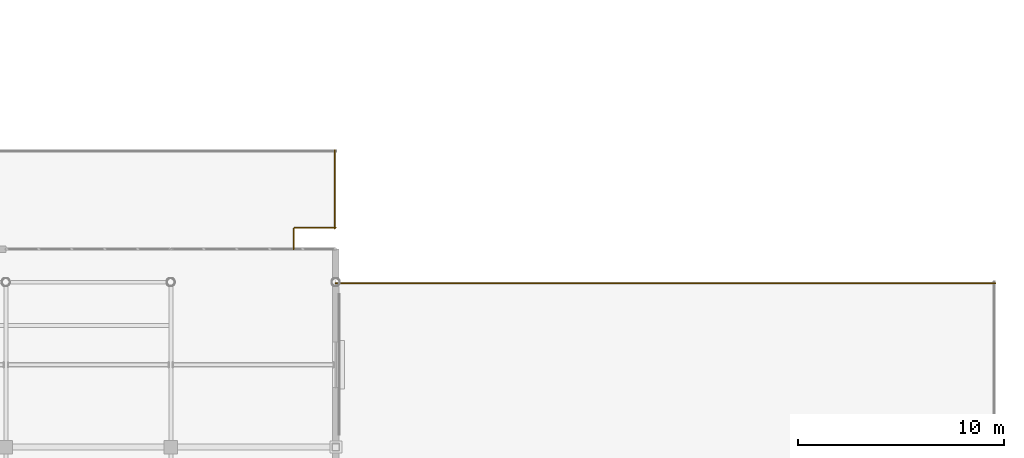
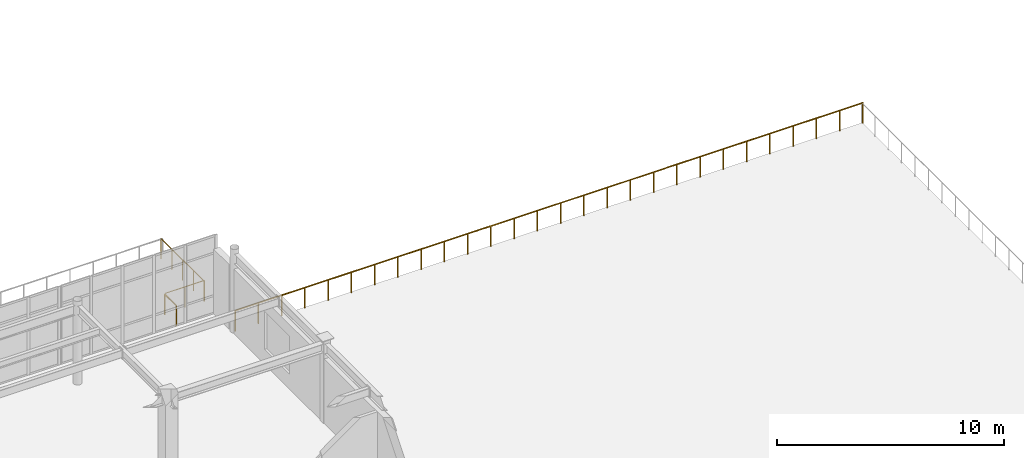
# One storey, part 85 of 93: 4 railings.
"""IFC4 building model written with IfcOpenShell, lengths in metres."""

from ifc_helpers import new_model, si_unit, direction, frame, origin, origin_2d, place, context, subcontext, project, spatial, circle, extrude, material, type_object, element, save


model = new_model("IFC4")

# Units and contexts
model_context = context("Model", 3, precision=1e-05, world=origin(), true_north=direction((0.0, 1.0)))
body_context = subcontext(model_context, "Body", "Model", "MODEL_VIEW")
ifc_project = project(units=[si_unit("LENGTHUNIT", "METRE"), si_unit("AREAUNIT", "SQUARE_METRE"), si_unit("VOLUMEUNIT", "CUBIC_METRE"), si_unit("PLANEANGLEUNIT", "RADIAN"), si_unit("MASSUNIT", "GRAM", prefix="KILO")], contexts=[model_context])

# Site, building, storey
site_placement = place(None, origin())
site = spatial("IfcSite", under=ifc_project, at=site_placement, CompositionType="ELEMENT")
building_placement = place(site_placement, origin())
building = spatial("IfcBuilding", under=site, at=building_placement, Name="Solmirada Galleria", CompositionType="ELEMENT")
storey_placement = place(building_placement, frame((0.0, 0.0, 14.89990234375)))
storey = spatial("IfcBuildingStorey", under=building, at=storey_placement, Name="L03", CompositionType="ELEMENT", Elevation=14.89990234375)

# Railings
ifc_material = material(Name="Painted galvanized steel balustrade", Category="steel")
railing_type = type_object("IfcRailingType", Name="RAIL-TERR-1100", PredefinedType="GUARDRAIL", material=ifc_material)
railing_1_placement = place(storey_placement, frame((141.949951171875, 33.60009765625, 0.0)))
element("IfcRailing", 1, at=railing_1_placement, inside=storey, type_object=railing_type, Name="Terrace guardrail L03-TERR-SE E2.1", PredefinedType="GUARDRAIL", context=body_context, shape_type="SweptSolid", body=[
    extrude(circle(Radius=0.02392578125, at=origin_2d()), frame((0.0, 0.0, 1.09619140625), z_axis=(0.0, 1.0, 0.0), x_axis=(-1.0, 0.0, 0.0)), (0.0, 0.0, 1.0), 1.0),
    extrude(circle(Radius=0.02099609375, at=origin_2d()), origin(), (0.0, 0.0, 1.0), 1.068115234375),
    extrude(circle(Radius=0.02099609375, at=origin_2d()), frame((0.0, 1.0, 0.0)), (0.0, 0.0, 1.0), 1.068115234375),
])
railing_2_placement = place(storey_placement, frame((142.0, 34.64990234375, 0.0)))
element("IfcRailing", 2, at=railing_2_placement, inside=storey, type_object=railing_type, Name="Terrace guardrail L03-TERR-SE E3.1", PredefinedType="GUARDRAIL", context=body_context, shape_type="SweptSolid", body=[
    extrude(circle(Radius=0.02392578125, at=origin_2d()), frame((0.0, 0.0, 1.09619140625), z_axis=(1.0, 0.0, 0.0), x_axis=(0.0, 1.0, 0.0)), (0.0, 0.0, 1.0), 2.0),
    extrude(circle(Radius=0.02099609375, at=origin_2d()), origin(), (0.0, 0.0, 1.0), 1.068115234375),
    extrude(circle(Radius=0.02099609375, at=origin_2d()), frame((1.0, 0.0, 0.0)), (0.0, 0.0, 1.0), 1.068115234375),
    extrude(circle(Radius=0.02099609375, at=origin_2d()), frame((2.0, 0.0, 0.0)), (0.0, 0.0, 1.0), 1.068115234375),
])
railing_3_placement = place(storey_placement, frame((143.949951171875, 34.60009765625, 0.0)))
element("IfcRailing", 3, at=railing_3_placement, inside=storey, type_object=railing_type, Name="Terrace guardrail L03-TERR-SE E4.1", PredefinedType="GUARDRAIL", context=body_context, shape_type="SweptSolid", body=[
    extrude(circle(Radius=0.02392578125, at=origin_2d()), frame((0.0, 0.0, 1.09619140625), z_axis=(0.0, 1.0, 0.0), x_axis=(-1.0, 0.0, 0.0)), (0.0, 0.0, 1.0), 3.7998046875),
    extrude(circle(Radius=0.02099609375, at=origin_2d()), origin(), (0.0, 0.0, 1.0), 1.068115234375),
    extrude(circle(Radius=0.02099609375, at=origin_2d()), frame((0.0, 0.949951171875, 0.0)), (0.0, 0.0, 1.0), 1.068115234375),
    extrude(circle(Radius=0.02099609375, at=origin_2d()), frame((0.0, 1.89990234375, 0.0)), (0.0, 0.0, 1.0), 1.068115234375),
    extrude(circle(Radius=0.02099609375, at=origin_2d()), frame((0.0, 2.849853515625, 0.0)), (0.0, 0.0, 1.0), 1.068115234375),
    extrude(circle(Radius=0.02099609375, at=origin_2d()), frame((0.0, 3.7998046875, 0.0)), (0.0, 0.0, 1.0), 1.068115234375),
])
railing_4_placement = place(storey_placement, frame((176.0, 31.949951171875, 0.0)))
element("IfcRailing", 4, at=railing_4_placement, inside=storey, type_object=railing_type, Name="Terrace guardrail L03-TERR-ER E3.1", PredefinedType="GUARDRAIL", context=body_context, shape_type="SweptSolid", body=[
    extrude(circle(Radius=0.02392578125, at=origin_2d()), frame((0.0, 0.0, 1.09619140625), z_axis=(-1.0, 0.0, 0.0), x_axis=(0.0, -1.0, 0.0)), (0.0, 0.0, 1.0), 32.0),
    extrude(circle(Radius=0.02099609375, at=origin_2d()), origin(), (0.0, 0.0, 1.0), 1.068115234375),
    extrude(circle(Radius=0.02099609375, at=origin_2d()), frame((-1.185302734375, 0.0, 0.0)), (0.0, 0.0, 1.0), 1.068115234375),
    extrude(circle(Radius=0.02099609375, at=origin_2d()), frame((-2.370361328125, 0.0, 0.0)), (0.0, 0.0, 1.0), 1.068115234375),
    extrude(circle(Radius=0.02099609375, at=origin_2d()), frame((-3.5556640625, 0.0, 0.0)), (0.0, 0.0, 1.0), 1.068115234375),
    extrude(circle(Radius=0.02099609375, at=origin_2d()), frame((-4.74072265625, 0.0, 0.0)), (0.0, 0.0, 1.0), 1.068115234375),
    extrude(circle(Radius=0.02099609375, at=origin_2d()), frame((-5.926025390625, 0.0, 0.0)), (0.0, 0.0, 1.0), 1.068115234375),
    extrude(circle(Radius=0.02099609375, at=origin_2d()), frame((-7.111083984375, 0.0, 0.0)), (0.0, 0.0, 1.0), 1.068115234375),
    extrude(circle(Radius=0.02099609375, at=origin_2d()), frame((-8.29638671875, 0.0, 0.0)), (0.0, 0.0, 1.0), 1.068115234375),
    extrude(circle(Radius=0.02099609375, at=origin_2d()), frame((-9.4814453125, 0.0, 0.0)), (0.0, 0.0, 1.0), 1.068115234375),
    extrude(circle(Radius=0.02099609375, at=origin_2d()), frame((-10.666748046875, 0.0, 0.0)), (0.0, 0.0, 1.0), 1.068115234375),
    extrude(circle(Radius=0.02099609375, at=origin_2d()), frame((-11.851806640625, 0.0, 0.0)), (0.0, 0.0, 1.0), 1.068115234375),
    extrude(circle(Radius=0.02099609375, at=origin_2d()), frame((-13.037109375, 0.0, 0.0)), (0.0, 0.0, 1.0), 1.068115234375),
    extrude(circle(Radius=0.02099609375, at=origin_2d()), frame((-14.22216796875, 0.0, 0.0)), (0.0, 0.0, 1.0), 1.068115234375),
    extrude(circle(Radius=0.02099609375, at=origin_2d()), frame((-15.407470703125, 0.0, 0.0)), (0.0, 0.0, 1.0), 1.068115234375),
    extrude(circle(Radius=0.02099609375, at=origin_2d()), frame((-16.592529296875, 0.0, 0.0)), (0.0, 0.0, 1.0), 1.068115234375),
    extrude(circle(Radius=0.02099609375, at=origin_2d()), frame((-17.77783203125, 0.0, 0.0)), (0.0, 0.0, 1.0), 1.068115234375),
    extrude(circle(Radius=0.02099609375, at=origin_2d()), frame((-18.962890625, 0.0, 0.0)), (0.0, 0.0, 1.0), 1.068115234375),
    extrude(circle(Radius=0.02099609375, at=origin_2d()), frame((-20.148193359375, 0.0, 0.0)), (0.0, 0.0, 1.0), 1.068115234375),
    extrude(circle(Radius=0.02099609375, at=origin_2d()), frame((-21.333251953125, 0.0, 0.0)), (0.0, 0.0, 1.0), 1.068115234375),
    extrude(circle(Radius=0.02099609375, at=origin_2d()), frame((-22.5185546875, 0.0, 0.0)), (0.0, 0.0, 1.0), 1.068115234375),
    extrude(circle(Radius=0.02099609375, at=origin_2d()), frame((-23.70361328125, 0.0, 0.0)), (0.0, 0.0, 1.0), 1.068115234375),
    extrude(circle(Radius=0.02099609375, at=origin_2d()), frame((-24.888916015625, 0.0, 0.0)), (0.0, 0.0, 1.0), 1.068115234375),
    extrude(circle(Radius=0.02099609375, at=origin_2d()), frame((-26.073974609375, 0.0, 0.0)), (0.0, 0.0, 1.0), 1.068115234375),
    extrude(circle(Radius=0.02099609375, at=origin_2d()), frame((-27.25927734375, 0.0, 0.0)), (0.0, 0.0, 1.0), 1.068115234375),
    extrude(circle(Radius=0.02099609375, at=origin_2d()), frame((-28.4443359375, 0.0, 0.0)), (0.0, 0.0, 1.0), 1.068115234375),
    extrude(circle(Radius=0.02099609375, at=origin_2d()), frame((-29.629638671875, 0.0, 0.0)), (0.0, 0.0, 1.0), 1.068115234375),
    extrude(circle(Radius=0.02099609375, at=origin_2d()), frame((-30.814697265625, 0.0, 0.0)), (0.0, 0.0, 1.0), 1.068115234375),
    extrude(circle(Radius=0.02099609375, at=origin_2d()), frame((-32.0, 0.0, 0.0)), (0.0, 0.0, 1.0), 1.068115234375),
])

save(model, "model.ifc")
